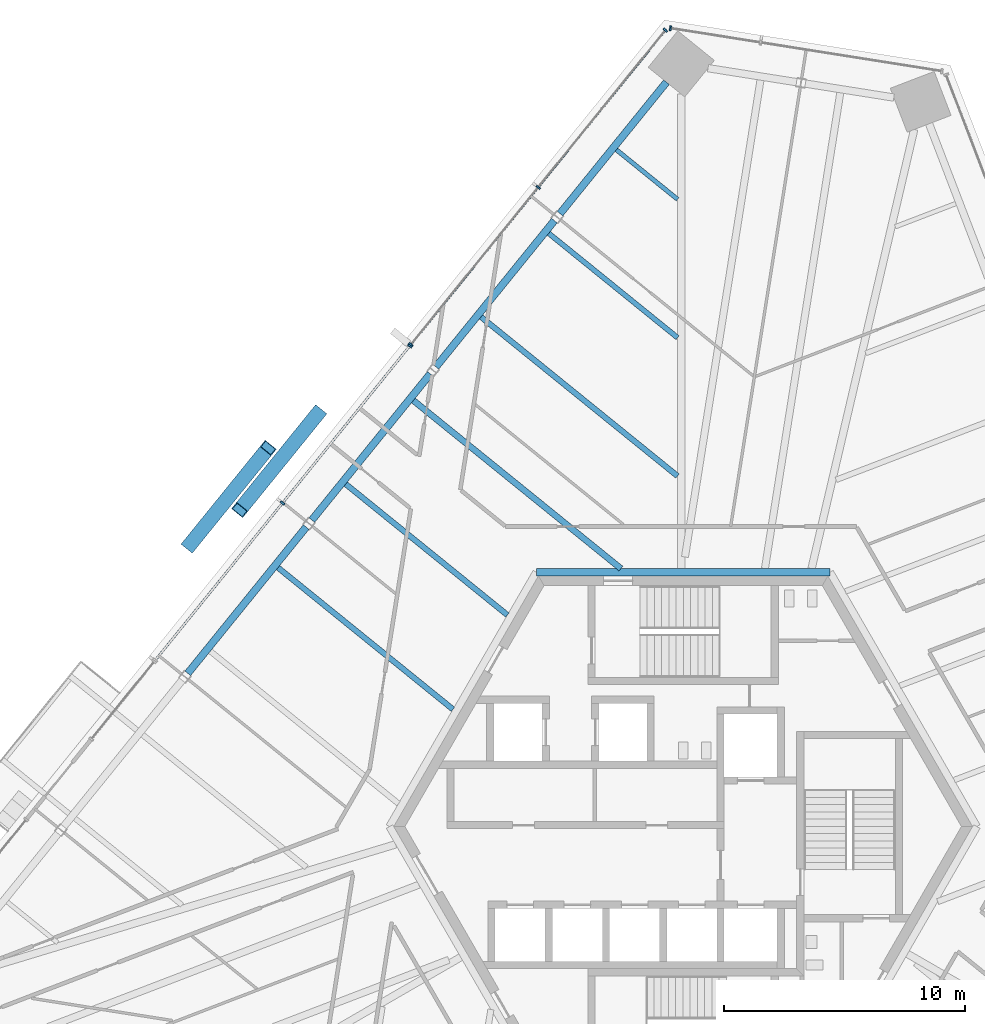
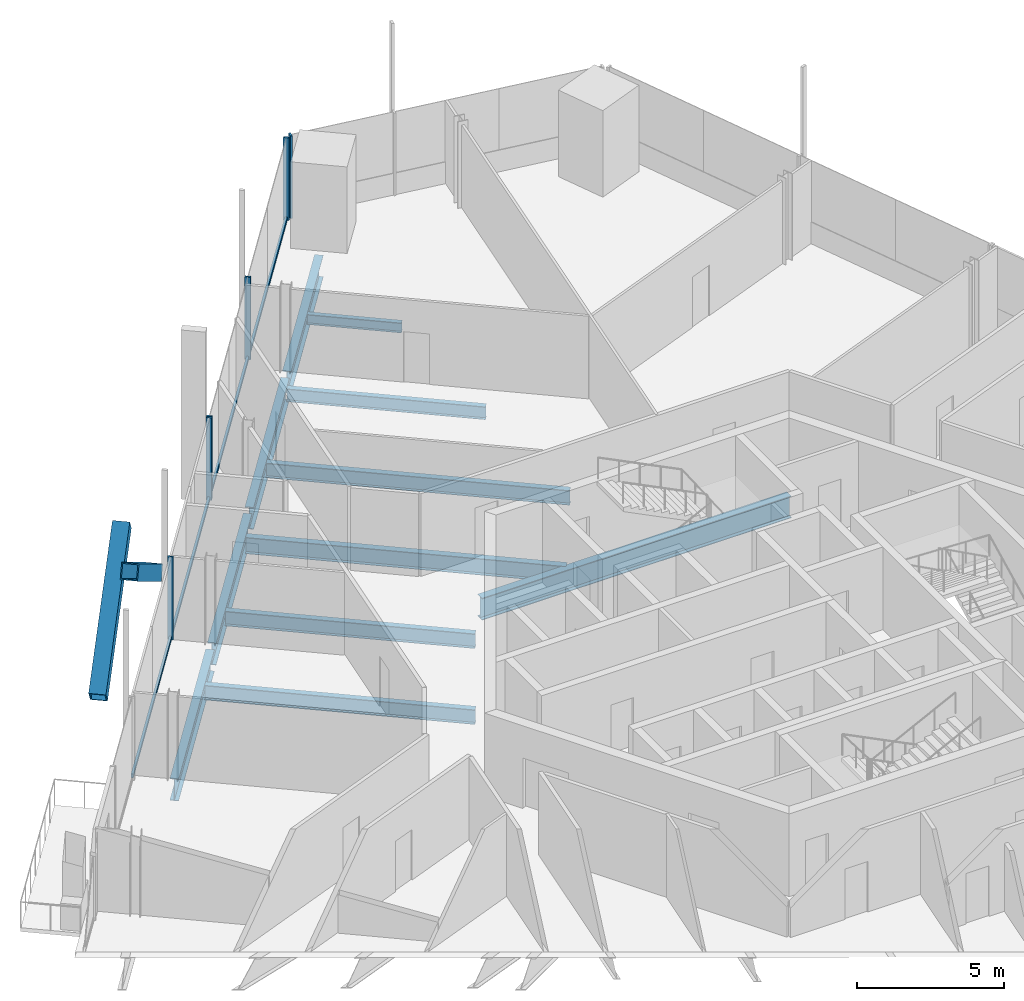
# One storey, part 8 of 22: 12 members, 11 beams, 3 elements without a shape of their own.
"""IFC4 building model written with IfcOpenShell, lengths in metres."""

from ifc_helpers import new_model, si_unit, direction, frame, origin, origin_2d, place, context, subcontext, project, spatial, rectangle, hollow_rectangle, i_section, extrude, source, transform, mapped, material, material_profile, profile_set, type_object, element, aggregate, save


model = new_model("IFC4")

# Units and contexts
model_context = context("Model", 3, precision=1e-05, world=origin(), true_north=direction((0.0, 1.0)))
body_context = subcontext(model_context, "Body", "Model", "MODEL_VIEW")
ifc_project = project(units=[si_unit("LENGTHUNIT", "METRE"), si_unit("AREAUNIT", "SQUARE_METRE"), si_unit("VOLUMEUNIT", "CUBIC_METRE"), si_unit("PLANEANGLEUNIT", "RADIAN"), si_unit("MASSUNIT", "GRAM", prefix="KILO")], contexts=[model_context])

# Site, building, storey
site_placement = place(None, origin())
site = spatial("IfcSite", under=ifc_project, at=site_placement, CompositionType="ELEMENT")
building_placement = place(site_placement, origin())
building = spatial("IfcBuilding", under=site, at=building_placement, Name="Triune Harvest Tower", CompositionType="ELEMENT")
storey_placement = place(building_placement, frame((0.0, 0.0, 153.300048828125)))
storey = spatial("IfcBuildingStorey", under=building, at=storey_placement, Name="L39", CompositionType="ELEMENT", Elevation=153.300048828125)

# Curtain wall, member
ifc_material_1 = material(Name="Aluminium bronze anodised", Category="aluminium")
curtain_wall_type_1 = type_object("IfcCurtainWallType", Name="CW-6 Balcony window wall", PredefinedType="NOTDEFINED", material=ifc_material_1)
curtain_wall_1_placement = place(storey_placement, origin())
curtain_wall_1 = element("IfcCurtainWall", 1, at=curtain_wall_1_placement, inside=storey, type_object=curtain_wall_type_1, Name="CW-6 B4-F3 L39 run 1")
ifc_material_2 = material(Name="Aluminium bronze anodised", Category="aluminium")
ifc_material_profile_1 = material_profile(ifc_material_2, rectangle(XDim=0.090087890625, YDim=0.14990234375, at=origin_2d()), Name="TR-6 transom 90 x 150")
ifc_profile_set_1 = profile_set([ifc_material_profile_1], Name="Aluminium bronze anodised")
member_type_1 = type_object("IfcMemberType", Name="TR-6 transom 90 x 150", PredefinedType="USERDEFINED", material=ifc_profile_set_1)
member_1_placement = place(storey_placement, frame((-0.7578125, 32.99072265625, 0.074951171875), z_axis=(-0.629327533837, -0.777140177288, 0.0), x_axis=(0.777140177288, -0.629327533837, 0.0)))
member_1 = element("IfcMember", 2, at=member_1_placement, type_object=member_type_1, Name="CW-6 transom B4-F3 1.1", ObjectType="TRANSOM", PredefinedType="USERDEFINED", context=body_context, shape_type="SweptSolid", body=[
    extrude(rectangle(XDim=0.090087890625, YDim=0.14990234375, at=origin_2d()), origin(), (0.0, 0.0, 1.0), 8.3095703125),
])

# Beams
ifc_material_3 = material(Name="Steel ASTM A992 Gr 50", Category="steel")
ifc_material_profile_2 = material_profile(ifc_material_3, i_section(OverallWidth=0.3046875, OverallDepth=0.914306640625, WebThickness=0.0166015625, FlangeThickness=0.02587890625, at=origin_2d()), Name="W36x160")
ifc_profile_set_2 = profile_set([ifc_material_profile_2], Name="Steel ASTM A992 Gr 50")
beam_type_1 = type_object("IfcBeamType", Name="CG-1 Core ring girder W36x160", PredefinedType="BEAM", material=ifc_profile_set_2)
shared_shape_1 = source(origin(), body_context, "Body", "SweptSolid", [
    extrude(i_section(OverallWidth=0.3046875, OverallDepth=0.914306640625, WebThickness=0.0166015625, FlangeThickness=0.02587890625, at=origin_2d()), origin(), (0.0, 0.0, 1.0), 12.17578125),
])
beam_1_placement = place(storey_placement, frame((6.087890625, 10.544677734375, -0.6171875), z_axis=(-1.0, 0.0, 0.0), x_axis=(0.0, -1.0, 0.0)))
element("IfcBeam", 3, at=beam_1_placement, inside=storey, type_object=beam_type_1, Name="beam/L39/CG2", PredefinedType="BEAM", context=body_context, shape_type="MappedRepresentation", body=[
    mapped(shared_shape_1, transform((0.0, 0.0, 0.0), scale=1.0)),
])
ifc_material_4 = material(Name="Steel ASTM A992 Gr 50", Category="steel")
ifc_material_profile_3 = material_profile(ifc_material_4, i_section(OverallWidth=0.3046875, OverallDepth=0.914306640625, WebThickness=0.0166015625, FlangeThickness=0.02587890625, at=origin_2d()), Name="W36x160")
ifc_profile_set_3 = profile_set([ifc_material_profile_3], Name="Steel ASTM A992 Gr 50")
beam_type_2 = type_object("IfcBeamType", Name="SB-1 Spandrel beam W36x160", PredefinedType="SPANDREL", material=ifc_profile_set_3)
shared_shape_2 = source(origin(), body_context, "Body", "SweptSolid", [
    extrude(i_section(OverallWidth=0.3046875, OverallDepth=0.914306640625, WebThickness=0.0166015625, FlangeThickness=0.02587890625, at=origin_2d()), origin(), (0.0, 0.0, 1.0), 7.013427734375),
])
beam_2_placement = place(storey_placement, frame((-0.69287109375, 30.8642578125, -0.6171875), z_axis=(-0.629311381255, -0.777153257358, 0.0), x_axis=(0.777153257358, -0.629311381255, 0.0)))
element("IfcBeam", 4, at=beam_2_placement, inside=storey, type_object=beam_type_2, Name="beam/L39/SB9", PredefinedType="SPANDREL", context=body_context, shape_type="MappedRepresentation", body=[
    mapped(shared_shape_2, transform((0.0, 0.0, 0.0), scale=1.0)),
])
shared_shape_3 = source(origin(), body_context, "Body", "SweptSolid", [
    extrude(i_section(OverallWidth=0.3046875, OverallDepth=0.914306640625, WebThickness=0.0166015625, FlangeThickness=0.02587890625, at=origin_2d()), origin(), (0.0, 0.0, 1.0), 7.801513671875),
])
for number, where, z_axis, x_axis, name in (
    (5, (-5.34130859375, 25.12353515625, -0.6171875), (-0.629351256413, -0.777120966163, 0.0), (0.777120966163, -0.629351256413, 0.0), "beam/L39/SB10"),
    (6, (-10.486083984375, 18.7705078125, -0.6171875), (-0.629317051779, -0.777148665533, 0.0), (0.777148665533, -0.629317051779, 0.0), "beam/L39/SB11"),
    (7, (-15.630859375, 12.417236328125, -0.6171875), (-0.629317051779, -0.777148665533, 0.0), (0.777148665533, -0.629317051779, 0.0), "beam/L39/SB12"),
):
    element("IfcBeam", number, at=place(storey_placement, frame(where, z_axis=z_axis, x_axis=x_axis)), inside=storey, type_object=beam_type_2, Name=name, PredefinedType="SPANDREL", context=body_context, shape_type="MappedRepresentation", body=[
        mapped(shared_shape_3, transform((0.0, 0.0, 0.0), scale=1.0)),
    ])
ifc_material_5 = material(Name="Steel ASTM A992 Gr 50", Category="steel")
ifc_material_profile_4 = material_profile(ifc_material_5, i_section(OverallWidth=0.22900390625, OverallDepth=0.612060546875, WebThickness=0.011962890625, FlangeThickness=0.01953125, at=origin_2d()), Name="W24x84")
ifc_profile_set_4 = profile_set([ifc_material_profile_4], Name="Steel ASTM A992 Gr 50")
beam_type_3 = type_object("IfcBeamType", Name="JT-3 Floor joist W24x84", PredefinedType="JOIST", material=ifc_profile_set_4)
shared_shape_4 = source(origin(), body_context, "Body", "SweptSolid", [
    extrude(i_section(OverallWidth=0.22900390625, OverallDepth=0.612060546875, WebThickness=0.011962890625, FlangeThickness=0.01953125, at=origin_2d()), origin(), (0.0, 0.0, 1.0), 10.482666015625),
])
beam_3_placement = place(storey_placement, frame((-8.37939453125, 21.1298828125, -0.466064453125), z_axis=(0.777144521909, -0.62932216874, 0.0), x_axis=(0.62932216874, 0.777144521909, 0.0)))
element("IfcBeam", 8, at=beam_3_placement, inside=storey, type_object=beam_type_3, Name="beam/L39/JT15", PredefinedType="JOIST", context=body_context, shape_type="MappedRepresentation", body=[
    mapped(shared_shape_4, transform((0.0, 0.0, 0.0), scale=1.0)),
])
ifc_material_6 = material(Name="Steel ASTM A992 Gr 50", Category="steel")
ifc_material_profile_5 = material_profile(ifc_material_6, i_section(OverallWidth=0.180908203125, OverallDepth=0.41650390625, WebThickness=0.010986328125, FlangeThickness=0.01806640625, at=origin_2d()), Name="W16x57")
ifc_profile_set_5 = profile_set([ifc_material_profile_5], Name="Steel ASTM A992 Gr 50")
beam_type_4 = type_object("IfcBeamType", Name="JT-1 Floor joist W16x57", PredefinedType="JOIST", material=ifc_profile_set_5)
shared_shape_5 = source(origin(), body_context, "Body", "SweptSolid", [
    extrude(i_section(OverallWidth=0.180908203125, OverallDepth=0.41650390625, WebThickness=0.010986328125, FlangeThickness=0.01806640625, at=origin_2d()), origin(), (0.0, 0.0, 1.0), 3.2607421875),
])
beam_4_placement = place(storey_placement, frame((-2.76708984375, 28.060546875, -0.368408203125), z_axis=(0.777166403411, -0.6292951465, 0.0), x_axis=(0.6292951465, 0.777166403411, 0.0)))
element("IfcBeam", 9, at=beam_4_placement, inside=storey, type_object=beam_type_4, Name="beam/L39/JT13", PredefinedType="JOIST", context=body_context, shape_type="MappedRepresentation", body=[
    mapped(shared_shape_5, transform((0.0, 0.0, 0.0), scale=1.0)),
])
ifc_material_7 = material(Name="Steel ASTM A992 Gr 50", Category="steel")
ifc_material_profile_6 = material_profile(ifc_material_7, i_section(OverallWidth=0.2099609375, OverallDepth=0.535888671875, WebThickness=0.010986328125, FlangeThickness=0.017333984375, at=origin_2d()), Name="W21x68")
ifc_profile_set_6 = profile_set([ifc_material_profile_6], Name="Steel ASTM A992 Gr 50")
beam_type_5 = type_object("IfcBeamType", Name="JT-2 Floor joist W21x68", PredefinedType="JOIST", material=ifc_profile_set_6)
shared_shape_6 = source(origin(), body_context, "Body", "SweptSolid", [
    extrude(i_section(OverallWidth=0.2099609375, OverallDepth=0.535888671875, WebThickness=0.010986328125, FlangeThickness=0.017333984375, at=origin_2d()), origin(), (0.0, 0.0, 1.0), 6.87158203125),
])
beam_5_placement = place(storey_placement, frame((-5.572998046875, 24.59521484375, -0.427978515625), z_axis=(0.777135642445, -0.629333133755, 0.0), x_axis=(0.629333133755, 0.777135642445, 0.0)))
element("IfcBeam", 10, at=beam_5_placement, inside=storey, type_object=beam_type_5, Name="beam/L39/JT14", PredefinedType="JOIST", context=body_context, shape_type="MappedRepresentation", body=[
    mapped(shared_shape_6, transform((0.0, 0.0, 0.0), scale=1.0)),
])
ifc_material_8 = material(Name="Steel ASTM A992 Gr 50", Category="steel")
ifc_material_profile_7 = material_profile(ifc_material_8, i_section(OverallWidth=0.253662109375, OverallDepth=0.683349609375, WebThickness=0.012451171875, FlangeThickness=0.01904296875, at=origin_2d()), Name="W27x94")
ifc_profile_set_7 = profile_set([ifc_material_profile_7], Name="Steel ASTM A992 Gr 50")
beam_type_6 = type_object("IfcBeamType", Name="JT-4 Floor joist W27x94", PredefinedType="JOIST", material=ifc_profile_set_7)
shared_shape_7 = source(origin(), body_context, "Body", "SweptSolid", [
    extrude(i_section(OverallWidth=0.253662109375, OverallDepth=0.683349609375, WebThickness=0.012451171875, FlangeThickness=0.01904296875, at=origin_2d()), origin(), (0.0, 0.0, 1.0), 11.0712890625),
])
beam_6_placement = place(storey_placement, frame((-11.185546875, 17.66455078125, -0.501708984375), z_axis=(0.777139586487, -0.6293282634, 0.0), x_axis=(0.6293282634, 0.777139586487, 0.0)))
element("IfcBeam", 11, at=beam_6_placement, inside=storey, type_object=beam_type_6, Name="beam/L39/JT16", PredefinedType="JOIST", context=body_context, shape_type="MappedRepresentation", body=[
    mapped(shared_shape_7, transform((0.0, 0.0, 0.0), scale=1.0)),
])
shared_shape_8 = source(origin(), body_context, "Body", "SweptSolid", [
    extrude(i_section(OverallWidth=0.22900390625, OverallDepth=0.612060546875, WebThickness=0.011962890625, FlangeThickness=0.01953125, at=origin_2d()), origin(), (0.0, 0.0, 1.0), 8.6259765625),
])
beam_7_placement = place(storey_placement, frame((-13.99169921875, 14.19921875, -0.466064453125), z_axis=(0.777146653343, -0.629319536641, 0.0), x_axis=(0.629319536641, 0.777146653343, 0.0)))
element("IfcBeam", 12, at=beam_7_placement, inside=storey, type_object=beam_type_3, Name="beam/L39/JT17", PredefinedType="JOIST", context=body_context, shape_type="MappedRepresentation", body=[
    mapped(shared_shape_8, transform((0.0, 0.0, 0.0), scale=1.0)),
])
shared_shape_9 = source(origin(), body_context, "Body", "SweptSolid", [
    extrude(i_section(OverallWidth=0.22900390625, OverallDepth=0.612060546875, WebThickness=0.011962890625, FlangeThickness=0.01953125, at=origin_2d()), origin(), (0.0, 0.0, 1.0), 9.33251953125),
])
beam_8_placement = place(storey_placement, frame((-16.798095703125, 10.73388671875, -0.466064453125), z_axis=(0.777149214732, -0.629316373568, 0.0), x_axis=(0.629316373568, 0.777149214732, 0.0)))
element("IfcBeam", 13, at=beam_8_placement, inside=storey, type_object=beam_type_3, Name="beam/L39/JT18", PredefinedType="JOIST", context=body_context, shape_type="MappedRepresentation", body=[
    mapped(shared_shape_9, transform((0.0, 0.0, 0.0), scale=1.0)),
])

# Members
ifc_material_9 = material(Name="Steel ASTM A572 Gr 50", Category="steel")
ifc_material_profile_8 = material_profile(ifc_material_9, hollow_rectangle(XDim=0.60009765625, YDim=0.60009765625, WallThickness=0.0400390625, at=origin_2d()), Name="Box 600x600x40")
ifc_profile_set_8 = profile_set([ifc_material_profile_8], Name="Steel ASTM A572 Gr 50")
member_type_2 = type_object("IfcMemberType", Name="BR-2 Brace Box 600x600x40", PredefinedType="BRACE", material=ifc_profile_set_8)
shared_shape_10 = source(origin(), body_context, "Body", "SweptSolid", [
    extrude(hollow_rectangle(XDim=0.60009765625, YDim=0.60009765625, WallThickness=0.0400390625, at=origin_2d()), origin(), (0.0, 0.0, 1.0), 6.328857421875),
])
member_2_placement = place(storey_placement, frame((-15.113037109375, 17.170166015625, 0.0), z_axis=(-0.517601864929, -0.639190855706, 0.568791138647), x_axis=(0.777148746815, -0.629316951404, 0.0)))
element("IfcMember", 14, at=member_2_placement, inside=storey, type_object=member_type_2, Name="brace/B4-F3/d1/5", PredefinedType="BRACE", context=body_context, shape_type="MappedRepresentation", body=[
    mapped(shared_shape_10, transform((0.0, 0.0, 0.0), scale=1.0)),
])
shared_shape_11 = source(origin(), body_context, "Body", "SweptSolid", [
    extrude(hollow_rectangle(XDim=0.60009765625, YDim=0.60009765625, WallThickness=0.0400390625, at=origin_2d()), origin(), (0.0, 0.0, 1.0), 6.329345703125),
])
member_3_placement = place(storey_placement, frame((-20.481201171875, 11.6533203125, 0.0), z_axis=(0.517617341966, 0.6392009072, 0.568765758051), x_axis=(-0.777144383745, 0.629322339357, 0.0)))
element("IfcMember", 15, at=member_3_placement, inside=storey, type_object=member_type_2, Name="brace/B4-F3/d2/5", PredefinedType="BRACE", context=body_context, shape_type="MappedRepresentation", body=[
    mapped(shared_shape_11, transform((0.0, 0.0, 0.0), scale=1.0)),
])

# Curtain wall, member
ifc_material_10 = material(Name="Aluminium bronze anodised", Category="aluminium")
curtain_wall_type_2 = type_object("IfcCurtainWallType", Name="CW-1 Tower stick curtain wall", PredefinedType="NOTDEFINED", material=ifc_material_10)
curtain_wall_2_placement = place(storey_placement, origin())
curtain_wall_2 = element("IfcCurtainWall", 16, at=curtain_wall_2_placement, inside=storey, type_object=curtain_wall_type_2, Name="CW-1 B4-F2 L39 run 1")
ifc_material_11 = material(Name="Aluminium bronze anodised", Category="aluminium")
ifc_material_profile_9 = material_profile(ifc_material_11, rectangle(XDim=0.199951171875, YDim=0.074951171875, at=origin_2d()), Name="MU-1 mullion 75 x 200")
ifc_profile_set_9 = profile_set([ifc_material_profile_9], Name="Aluminium bronze anodised")
member_type_3 = type_object("IfcMemberType", Name="MU-1 mullion 75 x 200", PredefinedType="MULLION", material=ifc_profile_set_9)
shared_shape_12 = source(origin(), body_context, "Body", "SweptSolid", [
    extrude(rectangle(XDim=0.199951171875, YDim=0.074951171875, at=origin_2d()), origin(), (0.0, 0.0, 1.0), 3.43994140625),
])
member_4_placement = place(storey_placement, frame((-0.528076171875, 33.09912109375, 0.0), z_axis=(0.0, 0.0, 1.0), x_axis=(-0.156432728322, -0.987688615663, 0.0)))
member_4 = element("IfcMember", 17, at=member_4_placement, type_object=member_type_3, Name="CW-1 mullion B4-F2 1.4", PredefinedType="MULLION", context=body_context, shape_type="MappedRepresentation", body=[
    mapped(shared_shape_12, transform((0.0, 0.0, 0.0), scale=1.0)),
])
aggregate(curtain_wall_2, [member_4])

# Member
ifc_material_12 = material(Name="Aluminium bronze anodised", Category="aluminium")
ifc_material_profile_10 = material_profile(ifc_material_12, rectangle(XDim=0.199951171875, YDim=0.074951171875, at=origin_2d()), Name="MU-6 mullion 75 x 200")
ifc_profile_set_10 = profile_set([ifc_material_profile_10], Name="Aluminium bronze anodised")
member_type_4 = type_object("IfcMemberType", Name="MU-6 mullion 75 x 200", PredefinedType="MULLION", material=ifc_profile_set_10)
shared_shape_13 = source(origin(), body_context, "Body", "SweptSolid", [
    extrude(rectangle(XDim=0.199951171875, YDim=0.074951171875, at=origin_2d()), origin(), (0.0, 0.0, 1.0), 3.43994140625),
])
member_5_placement = place(storey_placement, frame((-0.734130859375, 33.02001953125, 0.0), z_axis=(0.0, 0.0, 1.0), x_axis=(0.7771443328, -0.629322402268, 0.0)))
member_5 = element("IfcMember", 18, at=member_5_placement, type_object=member_type_4, Name="CW-6 mullion B4-F3 1.1", PredefinedType="MULLION", context=body_context, shape_type="MappedRepresentation", body=[
    mapped(shared_shape_13, transform((0.0, 0.0, 0.0), scale=1.0)),
])

member_6_placement = place(storey_placement, frame((-6.010986328125, 26.503662109375, 0.0), z_axis=(0.0, 0.0, 1.0), x_axis=(0.7771443328, -0.629322402268, 0.0)))
member_6 = element("IfcMember", 19, at=member_6_placement, type_object=member_type_4, Name="CW-6 mullion B4-F3 1.3", PredefinedType="MULLION", context=body_context, shape_type="MappedRepresentation", body=[
    mapped(shared_shape_13, transform((0.0, 0.0, 0.0), scale=1.0)),
])

member_7_placement = place(storey_placement, frame((-11.28759765625, 19.987548828125, 0.0), z_axis=(0.0, 0.0, 1.0), x_axis=(0.7771443328, -0.629322402268, 0.0)))
member_7 = element("IfcMember", 20, at=member_7_placement, type_object=member_type_4, Name="CW-6 mullion B4-F3 1.5", PredefinedType="MULLION", context=body_context, shape_type="MappedRepresentation", body=[
    mapped(shared_shape_13, transform((0.0, 0.0, 0.0), scale=1.0)),
])

# Curtain wall, members
ifc_material_13 = material(Name="Aluminium bronze anodised", Category="aluminium")
curtain_wall_type_3 = type_object("IfcCurtainWallType", Name="CW-10 Balcony window wall with insulated spandrel infill", PredefinedType="NOTDEFINED", material=ifc_material_13)
curtain_wall_3_placement = place(storey_placement, origin())
curtain_wall_3 = element("IfcCurtainWall", 21, at=curtain_wall_3_placement, inside=storey, type_object=curtain_wall_type_3, Name="CW-10 B4-F3 L39 run 1001")
member_8_placement = place(storey_placement, frame((-11.334716796875, 19.92919921875, 0.0), z_axis=(0.0, 0.0, 1.0), x_axis=(0.777144767109, -0.629321865944, 0.0)))
member_8 = element("IfcMember", 22, at=member_8_placement, type_object=member_type_4, Name="CW-10 mullion B4-F3 1001.1", PredefinedType="MULLION", context=body_context, shape_type="MappedRepresentation", body=[
    mapped(shared_shape_13, transform((0.0, 0.0, 0.0), scale=1.0)),
])
member_9_placement = place(storey_placement, frame((-16.611572265625, 13.4130859375, 0.0), z_axis=(0.0, 0.0, 1.0), x_axis=(0.777144767109, -0.629321865944, 0.0)))
member_9 = element("IfcMember", 23, at=member_9_placement, type_object=member_type_4, Name="CW-10 mullion B4-F3 1001.3", PredefinedType="MULLION", context=body_context, shape_type="MappedRepresentation", body=[
    mapped(shared_shape_13, transform((0.0, 0.0, 0.0), scale=1.0)),
])

# Member
shared_shape_14 = source(origin(), body_context, "Body", "SweptSolid", [
    extrude(rectangle(XDim=0.090087890625, YDim=0.14990234375, at=origin_2d()), origin(), (0.0, 0.0, 1.0), 8.309814453125),
])
member_10_placement = place(storey_placement, frame((-6.034423828125, 26.474609375, 0.074951171875), z_axis=(-0.629313164831, -0.777151813078, 0.0), x_axis=(0.777151813078, -0.629313164831, 0.0)))
member_10 = element("IfcMember", 24, at=member_10_placement, type_object=member_type_1, Name="CW-6 transom B4-F3 1.2", ObjectType="TRANSOM", PredefinedType="USERDEFINED", context=body_context, shape_type="MappedRepresentation", body=[
    mapped(shared_shape_14, transform((0.0, 0.0, 0.0), scale=1.0)),
])

aggregate(curtain_wall_1, [member_5, member_6, member_7, member_1, member_10])

member_11_placement = place(storey_placement, frame((-11.3583984375, 19.900146484375, 0.074951171875), z_axis=(-0.629313164831, -0.777151813078, 0.0), x_axis=(0.777151813078, -0.629313164831, 0.0)))
member_11 = element("IfcMember", 25, at=member_11_placement, type_object=member_type_1, Name="CW-10 transom B4-F3 1001.1", ObjectType="TRANSOM", PredefinedType="USERDEFINED", context=body_context, shape_type="MappedRepresentation", body=[
    mapped(shared_shape_14, transform((0.0, 0.0, 0.0), scale=1.0)),
])

member_12_placement = place(storey_placement, frame((-16.635009765625, 13.384033203125, 0.074951171875), z_axis=(-0.629313164831, -0.777151813078, 0.0), x_axis=(0.777151813078, -0.629313164831, 0.0)))
member_12 = element("IfcMember", 26, at=member_12_placement, type_object=member_type_1, Name="CW-10 transom B4-F3 1001.2", ObjectType="TRANSOM", PredefinedType="USERDEFINED", context=body_context, shape_type="MappedRepresentation", body=[
    mapped(shared_shape_14, transform((0.0, 0.0, 0.0), scale=1.0)),
])

aggregate(curtain_wall_3, [member_8, member_9, member_11, member_12])

save(model, "model.ifc")
